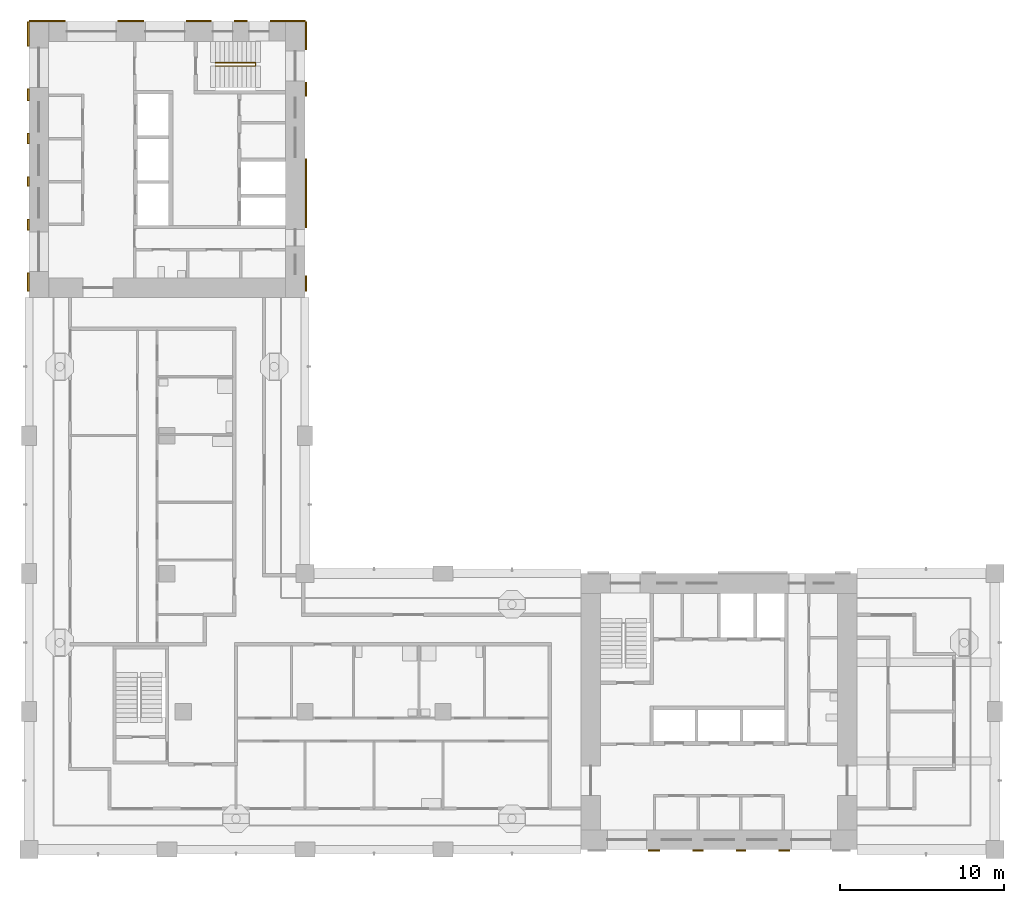
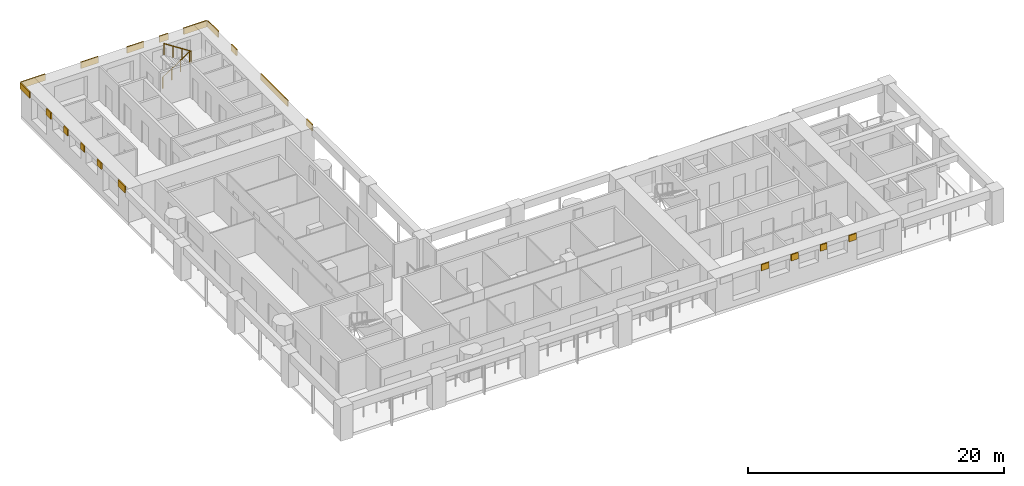
# One storey, part 10 of 13: 19 shading devices, 1 railing.
"""IFC4 building model written with IfcOpenShell, lengths in metres."""

from ifc_helpers import new_model, si_unit, direction, frame, origin, origin_2d, place, context, subcontext, project, spatial, rectangle, circle, extrude, material, layer, layer_set, type_object, element, save


model = new_model("IFC4")

# Units and contexts
model_context = context("Model", 3, precision=1e-05, world=origin(), true_north=direction((0.0, 1.0)))
body_context = subcontext(model_context, "Body", "Model", "MODEL_VIEW")
ifc_project = project(units=[si_unit("LENGTHUNIT", "METRE"), si_unit("AREAUNIT", "SQUARE_METRE"), si_unit("VOLUMEUNIT", "CUBIC_METRE"), si_unit("PLANEANGLEUNIT", "RADIAN"), si_unit("MASSUNIT", "GRAM", prefix="KILO")], contexts=[model_context])

# Site, building, storey
site_placement = place(None, origin())
site = spatial("IfcSite", under=ifc_project, at=site_placement, CompositionType="ELEMENT")
building_placement = place(site_placement, origin())
building = spatial("IfcBuilding", under=site, at=building_placement, Name="Vermilion Gate Residences", CompositionType="ELEMENT")
storey_placement = place(building_placement, frame((0.0, 0.0, 193.199951171875)))
storey = spatial("IfcBuildingStorey", under=building, at=storey_placement, Name="L50", CompositionType="ELEMENT", Elevation=193.199951171875)

# Railing
ifc_material_1 = material(Name="Steel S355", Category="steel")
railing_type = type_object("IfcRailingType", Name="STAIR GUARD 1100 STEEL", PredefinedType="GUARDRAIL", material=ifc_material_1)
railing_placement = place(storey_placement, frame((19.75, 56.300048828125, 0.175048828125)))
element("IfcRailing", 1, at=railing_placement, inside=storey, type_object=railing_type, Name="Stair well guard STB1-50", PredefinedType="GUARDRAIL", context=body_context, shape_type="SweptSolid", body=[
    extrude(circle(Radius=0.02392578125, at=origin_2d()), frame((0.0, 0.0, 1.076171875), z_axis=(0.839153699163, 0.0, 0.543894354798), x_axis=(0.0, 1.0, 0.0)), (0.0, 0.0, 1.0), 2.895751953125),
    extrude(circle(Radius=0.02392578125, at=origin_2d()), frame((2.429931640625, 0.0, 2.65087890625), z_axis=(0.0, -0.752405939678, 0.658699705433), x_axis=(1.0, 0.0, 0.0)), (0.0, 0.0, 1.0), 0.265869140625),
    extrude(circle(Radius=0.02392578125, at=origin_2d()), frame((2.429931640625, -0.199951171875, 2.826171875), z_axis=(-0.839153699163, 0.0, 0.543894354798), x_axis=(0.0, -1.0, 0.0)), (0.0, 0.0, 1.0), 2.895751953125),
    extrude(circle(Radius=0.02099609375, at=origin_2d()), origin(), (0.0, 0.0, 1.0), 1.052001953125),
    extrude(circle(Radius=0.02099609375, at=origin_2d()), frame((0.81005859375, 0.0, 0.52490234375)), (0.0, 0.0, 1.0), 1.052001953125),
    extrude(circle(Radius=0.02099609375, at=origin_2d()), frame((1.619873046875, 0.0, 1.050048828125)), (0.0, 0.0, 1.0), 1.052001953125),
    extrude(circle(Radius=0.02099609375, at=origin_2d()), frame((2.429931640625, 0.0, 1.574951171875)), (0.0, 0.0, 1.0), 1.052001953125),
    extrude(circle(Radius=0.02099609375, at=origin_2d()), frame((2.429931640625, -0.199951171875, 1.75)), (0.0, 0.0, 1.0), 1.052001953125),
    extrude(circle(Radius=0.02099609375, at=origin_2d()), frame((1.619873046875, -0.199951171875, 2.27490234375)), (0.0, 0.0, 1.0), 1.052001953125),
    extrude(circle(Radius=0.02099609375, at=origin_2d()), frame((0.81005859375, -0.199951171875, 2.800048828125)), (0.0, 0.0, 1.0), 1.052001953125),
    extrude(circle(Radius=0.02099609375, at=origin_2d()), frame((0.0, -0.199951171875, 3.324951171875)), (0.0, 0.0, 1.0), 1.052001953125),
])

# Shading devices
ifc_material_2 = material(Name="Extruded terracotta", Category="masonry")
ifc_layer = layer(ifc_material_2, 0.10009765625)
ifc_layer_set = layer_set([ifc_layer], Name="TERRACOTTA SPANDREL BAND 600 X 100")
shading_device_type = type_object("IfcShadingDeviceType", Name="TERRACOTTA SPANDREL BAND 600 X 100", PredefinedType="USERDEFINED", material=ifc_layer_set)
shading_device_1_placement = place(storey_placement, frame((46.4541015625, 8.35009765625, 2.6201171875), z_axis=(0.0, 0.0, 1.0), x_axis=(1.0, 0.0, 0.0)))
element("IfcShadingDevice", 2, at=shading_device_1_placement, inside=storey, type_object=shading_device_type, Name="SPANDREL BAND", ObjectType="BAND", PredefinedType="USERDEFINED", context=body_context, shape_type="SweptSolid", body=[
    extrude(rectangle(XDim=0.7080078125, YDim=0.10009765625, at=origin_2d()), origin(), (0.0, 0.0, 1.0), 0.60009765625),
])
shading_device_2_placement = place(storey_placement, frame((49.12255859375, 8.35009765625, 2.6201171875), z_axis=(0.0, 0.0, 1.0), x_axis=(1.0, 0.0, 0.0)))
element("IfcShadingDevice", 3, at=shading_device_2_placement, inside=storey, type_object=shading_device_type, Name="SPANDREL BAND", ObjectType="BAND", PredefinedType="USERDEFINED", context=body_context, shape_type="SweptSolid", body=[
    extrude(rectangle(XDim=0.62890625, YDim=0.10009765625, at=origin_2d()), origin(), (0.0, 0.0, 1.0), 0.60009765625),
])
shading_device_3_placement = place(storey_placement, frame((51.73291015625, 8.35009765625, 2.6201171875), z_axis=(0.0, 0.0, 1.0), x_axis=(1.0, 0.0, 0.0)))
element("IfcShadingDevice", 4, at=shading_device_3_placement, inside=storey, type_object=shading_device_type, Name="SPANDREL BAND", ObjectType="BAND", PredefinedType="USERDEFINED", context=body_context, shape_type="SweptSolid", body=[
    extrude(rectangle(XDim=0.592041015625, YDim=0.10009765625, at=origin_2d()), origin(), (0.0, 0.0, 1.0), 0.60009765625),
])
shading_device_4_placement = place(storey_placement, frame((54.364501953125, 8.35009765625, 2.6201171875), z_axis=(0.0, 0.0, 1.0), x_axis=(1.0, 0.0, 0.0)))
element("IfcShadingDevice", 5, at=shading_device_4_placement, inside=storey, type_object=shading_device_type, Name="SPANDREL BAND", ObjectType="BAND", PredefinedType="USERDEFINED", context=body_context, shape_type="SweptSolid", body=[
    extrude(rectangle(XDim=0.6708984375, YDim=0.10009765625, at=origin_2d()), origin(), (0.0, 0.0, 1.0), 0.60009765625),
])
shading_device_5_placement = place(storey_placement, frame((9.50244140625, 58.85009765625, 2.6201171875), z_axis=(0.0, 0.0, 1.0), x_axis=(1.0, 0.0, 0.0)))
element("IfcShadingDevice", 6, at=shading_device_5_placement, inside=storey, type_object=shading_device_type, Name="SPANDREL BAND", ObjectType="BAND", PredefinedType="USERDEFINED", context=body_context, shape_type="SweptSolid", body=[
    extrude(rectangle(XDim=2.205078125, YDim=0.10009765625, at=origin_2d()), origin(), (0.0, 0.0, 1.0), 0.60009765625),
])
shading_device_6_placement = place(storey_placement, frame((14.590087890625, 58.85009765625, 2.6201171875), z_axis=(0.0, 0.0, 1.0), x_axis=(1.0, 0.0, 0.0)))
element("IfcShadingDevice", 7, at=shading_device_6_placement, inside=storey, type_object=shading_device_type, Name="SPANDREL BAND", ObjectType="BAND", PredefinedType="USERDEFINED", context=body_context, shape_type="SweptSolid", body=[
    extrude(rectangle(XDim=1.570068359375, YDim=0.10009765625, at=origin_2d()), origin(), (0.0, 0.0, 1.0), 0.60009765625),
])
shading_device_7_placement = place(storey_placement, frame((18.734130859375, 58.85009765625, 2.6201171875), z_axis=(0.0, 0.0, 1.0), x_axis=(1.0, 0.0, 0.0)))
element("IfcShadingDevice", 8, at=shading_device_7_placement, inside=storey, type_object=shading_device_type, Name="SPANDREL BAND", ObjectType="BAND", PredefinedType="USERDEFINED", context=body_context, shape_type="SweptSolid", body=[
    extrude(rectangle(XDim=1.518310546875, YDim=0.10009765625, at=origin_2d()), origin(), (0.0, 0.0, 1.0), 0.60009765625),
])
shading_device_8_placement = place(storey_placement, frame((21.294921875, 58.85009765625, 2.6201171875), z_axis=(0.0, 0.0, 1.0), x_axis=(1.0, 0.0, 0.0)))
element("IfcShadingDevice", 9, at=shading_device_8_placement, inside=storey, type_object=shading_device_type, Name="SPANDREL BAND", ObjectType="BAND", PredefinedType="USERDEFINED", context=body_context, shape_type="SweptSolid", body=[
    extrude(rectangle(XDim=0.803466796875, YDim=0.10009765625, at=origin_2d()), origin(), (0.0, 0.0, 1.0), 0.60009765625),
])
shading_device_9_placement = place(storey_placement, frame((24.1484375, 58.85009765625, 2.6201171875), z_axis=(0.0, 0.0, 1.0), x_axis=(1.0, 0.0, 0.0)))
element("IfcShadingDevice", 10, at=shading_device_9_placement, inside=storey, type_object=shading_device_type, Name="SPANDREL BAND", ObjectType="BAND", PredefinedType="USERDEFINED", context=body_context, shape_type="SweptSolid", body=[
    extrude(rectangle(XDim=2.103271484375, YDim=0.10009765625, at=origin_2d()), origin(), (0.0, 0.0, 1.0), 0.60009765625),
])
shading_device_10_placement = place(storey_placement, frame((8.35009765625, 42.949951171875, 2.6201171875), z_axis=(0.0, 0.0, 1.0), x_axis=(0.0, 1.0, 0.0)))
element("IfcShadingDevice", 11, at=shading_device_10_placement, inside=storey, type_object=shading_device_type, Name="SPANDREL BAND", ObjectType="BAND", PredefinedType="USERDEFINED", context=body_context, shape_type="SweptSolid", body=[
    extrude(rectangle(XDim=1.10009765625, YDim=0.10009765625, at=origin_2d()), origin(), (0.0, 0.0, 1.0), 0.60009765625),
])
shading_device_11_placement = place(storey_placement, frame((8.35009765625, 46.435546875, 2.6201171875), z_axis=(0.0, 0.0, 1.0), x_axis=(0.0, 1.0, 0.0)))
element("IfcShadingDevice", 12, at=shading_device_11_placement, inside=storey, type_object=shading_device_type, Name="SPANDREL BAND", ObjectType="BAND", PredefinedType="USERDEFINED", context=body_context, shape_type="SweptSolid", body=[
    extrude(rectangle(XDim=0.6708984375, YDim=0.10009765625, at=origin_2d()), origin(), (0.0, 0.0, 1.0), 0.60009765625),
])
shading_device_12_placement = place(storey_placement, frame((8.35009765625, 49.06689453125, 2.6201171875), z_axis=(0.0, 0.0, 1.0), x_axis=(0.0, 1.0, 0.0)))
element("IfcShadingDevice", 13, at=shading_device_12_placement, inside=storey, type_object=shading_device_type, Name="SPANDREL BAND", ObjectType="BAND", PredefinedType="USERDEFINED", context=body_context, shape_type="SweptSolid", body=[
    extrude(rectangle(XDim=0.592041015625, YDim=0.10009765625, at=origin_2d()), origin(), (0.0, 0.0, 1.0), 0.60009765625),
])
shading_device_13_placement = place(storey_placement, frame((8.35009765625, 51.677490234375, 2.6201171875), z_axis=(0.0, 0.0, 1.0), x_axis=(0.0, 1.0, 0.0)))
element("IfcShadingDevice", 14, at=shading_device_13_placement, inside=storey, type_object=shading_device_type, Name="SPANDREL BAND", ObjectType="BAND", PredefinedType="USERDEFINED", context=body_context, shape_type="SweptSolid", body=[
    extrude(rectangle(XDim=0.62890625, YDim=0.10009765625, at=origin_2d()), origin(), (0.0, 0.0, 1.0), 0.60009765625),
])
shading_device_14_placement = place(storey_placement, frame((8.35009765625, 54.345947265625, 2.6201171875), z_axis=(0.0, 0.0, 1.0), x_axis=(0.0, 1.0, 0.0)))
element("IfcShadingDevice", 15, at=shading_device_14_placement, inside=storey, type_object=shading_device_type, Name="SPANDREL BAND", ObjectType="BAND", PredefinedType="USERDEFINED", context=body_context, shape_type="SweptSolid", body=[
    extrude(rectangle(XDim=0.7080078125, YDim=0.10009765625, at=origin_2d()), origin(), (0.0, 0.0, 1.0), 0.60009765625),
])
shading_device_15_placement = place(storey_placement, frame((8.35009765625, 58.050048828125, 2.6201171875), z_axis=(0.0, 0.0, 1.0), x_axis=(0.0, 1.0, 0.0)))
element("IfcShadingDevice", 16, at=shading_device_15_placement, inside=storey, type_object=shading_device_type, Name="SPANDREL BAND", ObjectType="BAND", PredefinedType="USERDEFINED", context=body_context, shape_type="SweptSolid", body=[
    extrude(rectangle(XDim=1.5, YDim=0.10009765625, at=origin_2d()), origin(), (0.0, 0.0, 1.0), 0.60009765625),
])
shading_device_16_placement = place(storey_placement, frame((25.25, 42.862548828125, 2.6201171875), z_axis=(0.0, 0.0, 1.0), x_axis=(0.0, 1.0, 0.0)))
element("IfcShadingDevice", 17, at=shading_device_16_placement, inside=storey, type_object=shading_device_type, Name="SPANDREL BAND", ObjectType="BAND", PredefinedType="USERDEFINED", context=body_context, shape_type="SweptSolid", body=[
    extrude(rectangle(XDim=0.925048828125, YDim=0.10009765625, at=origin_2d()), origin(), (0.0, 0.0, 1.0), 0.60009765625),
])
shading_device_17_placement = place(storey_placement, frame((25.25, 48.35009765625, 2.6201171875), z_axis=(0.0, 0.0, 1.0), x_axis=(0.0, 1.0, 0.0)))
element("IfcShadingDevice", 18, at=shading_device_17_placement, inside=storey, type_object=shading_device_type, Name="SPANDREL BAND", ObjectType="BAND", PredefinedType="USERDEFINED", context=body_context, shape_type="SweptSolid", body=[
    extrude(rectangle(XDim=4.199951171875, YDim=0.10009765625, at=origin_2d()), origin(), (0.0, 0.0, 1.0), 0.60009765625),
])
shading_device_18_placement = place(storey_placement, frame((25.25, 54.67822265625, 2.6201171875), z_axis=(0.0, 0.0, 1.0), x_axis=(0.0, 1.0, 0.0)))
element("IfcShadingDevice", 19, at=shading_device_18_placement, inside=storey, type_object=shading_device_type, Name="SPANDREL BAND", ObjectType="BAND", PredefinedType="USERDEFINED", context=body_context, shape_type="SweptSolid", body=[
    extrude(rectangle(XDim=0.84375, YDim=0.10009765625, at=origin_2d()), origin(), (0.0, 0.0, 1.0), 0.60009765625),
])
shading_device_19_placement = place(storey_placement, frame((25.25, 57.949951171875, 2.6201171875), z_axis=(0.0, 0.0, 1.0), x_axis=(0.0, 1.0, 0.0)))
element("IfcShadingDevice", 20, at=shading_device_19_placement, inside=storey, type_object=shading_device_type, Name="SPANDREL BAND", ObjectType="BAND", PredefinedType="USERDEFINED", context=body_context, shape_type="SweptSolid", body=[
    extrude(rectangle(XDim=1.699951171875, YDim=0.10009765625, at=origin_2d()), origin(), (0.0, 0.0, 1.0), 0.60009765625),
])

save(model, "model.ifc")
